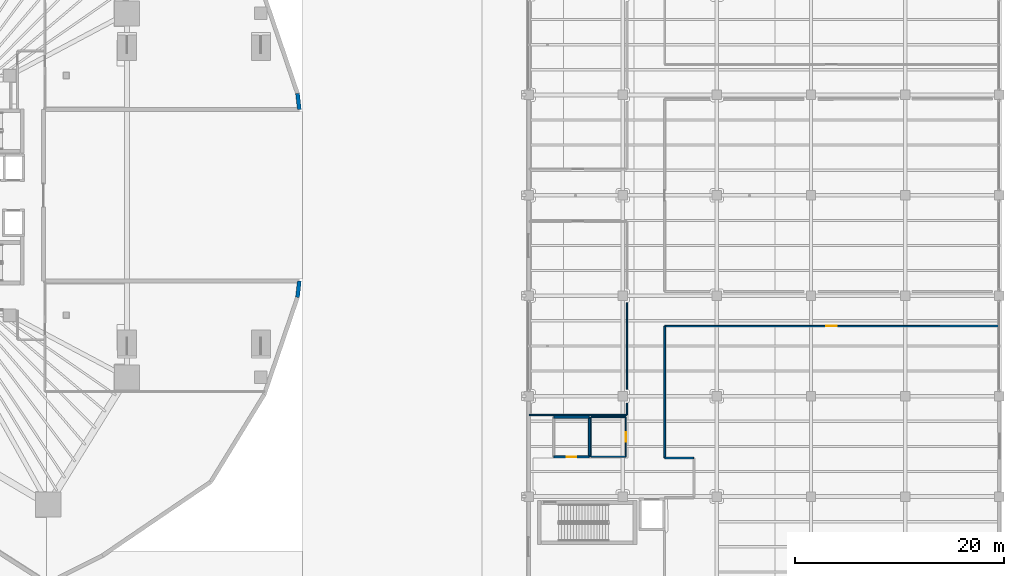
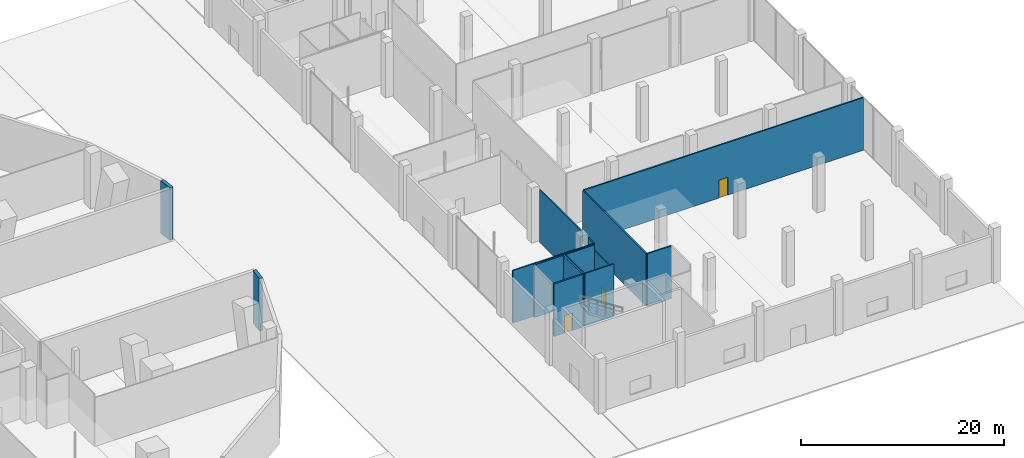
# One storey, part 30 of 45: 15 walls, 3 doors, 3 openings.
"""IFC4 building model written with IfcOpenShell, lengths in metres."""

import ifcopenshell
import ifcopenshell.guid

model = None  # the IFC model being written
_history = None  # IfcOwnerHistory: only IFC2X3 demands one
_inside = {}  # id of a spatial element -> (the spatial element, [elements in it])
_under = {}  # id of a project, library or spatial element -> (it, [spatial elements below it])
_declared = {}  # id of a project -> (the project, [libraries it declares])
_typed = {}  # id of a type object -> (the type object, [elements of that type])
_made_of = {}  # id of a material, layer set ... -> (it, [elements and type objects made of it])


def new_model(schema):
    """Start an empty IFC model of exactly this schema.

    Asked for "IFC4X3", IfcOpenShell would pick the latest addendum, in which some entities
    have other attributes; the version numbers below select the first issue.
    IFC2X3 requires an IfcOwnerHistory on every rooted entity: one is made here for all.
    """
    global model, _history
    if schema == "IFC4X3":
        model = ifcopenshell.file(schema_version=(4, 3, 0, 0))
    else:
        model = ifcopenshell.file(schema=schema)
    _inside.clear()
    _under.clear()
    _declared.clear()
    _typed.clear()
    _made_of.clear()
    _history = None
    if model.schema == "IFC2X3":
        org = make("IfcOrganization", Name="unknown")
        user = make(
            "IfcPersonAndOrganization",
            ThePerson=make("IfcPerson", FamilyName="unknown"),
            TheOrganization=org,
        )
        app = make(
            "IfcApplication",
            ApplicationDeveloper=org,
            Version="unknown",
            ApplicationFullName="unknown",
            ApplicationIdentifier="unknown",
        )
        _history = make(
            "IfcOwnerHistory",
            OwningUser=user,
            OwningApplication=app,
            ChangeAction="ADDED",
            CreationDate=0,
        )
    return model


def make(cls, **values):
    """One entity of the class cls with the attributes given. An attribute that is None is left unset."""
    return model.create_entity(
        cls, **{name: value for name, value in values.items() if value is not None}
    )


def rooted(cls, **values):
    """An entity with a GlobalId (a new one), such as an element, a storey or a relation."""
    return make(cls, GlobalId=ifcopenshell.guid.new(), OwnerHistory=_history, **values)


def si_unit(unit_type, name, prefix=None):
    """IfcSIUnit, for example si_unit("LENGTHUNIT", "METRE", prefix="MILLI")."""
    return make("IfcSIUnit", UnitType=unit_type, Prefix=prefix, Name=name)


def assignment(units):
    """IfcUnitAssignment: the units of a project."""
    return None if units is None else make("IfcUnitAssignment", Units=units)


def point(xyz):
    """IfcCartesianPoint."""
    return None if xyz is None else make("IfcCartesianPoint", Coordinates=xyz)


def direction(xyz):
    """IfcDirection."""
    return None if xyz is None else make("IfcDirection", DirectionRatios=xyz)


def frame(location, z_axis=None, x_axis=None):
    """IfcAxis2Placement3D, a coordinate frame: its origin and axes. An axis left out is left unset."""
    return make(
        "IfcAxis2Placement3D",
        Location=point(location),
        Axis=direction(z_axis),
        RefDirection=direction(x_axis),
    )


def frame_2d(location, x_axis=None):
    """IfcAxis2Placement2D, a coordinate frame in the plane: its origin and x axis."""
    return make(
        "IfcAxis2Placement2D", Location=point(location), RefDirection=direction(x_axis)
    )


def origin():
    """The frame at (0, 0, 0) with its axes left unset."""
    return frame((0.0, 0.0, 0.0))


def place(relative_to, where):
    """IfcLocalPlacement: puts the frame where relative to a parent placement (None: the world)."""
    return make(
        "IfcLocalPlacement", PlacementRelTo=relative_to, RelativePlacement=where
    )


def context(
    kind, dimensions, precision=None, world=None, true_north=None, identifier=None
):
    """IfcGeometricRepresentationContext, for example the 3D "Model" context."""
    return make(
        "IfcGeometricRepresentationContext",
        ContextIdentifier=identifier,
        ContextType=kind,
        CoordinateSpaceDimension=dimensions,
        Precision=precision,
        WorldCoordinateSystem=world,
        TrueNorth=true_north,
    )


def subcontext(parent, identifier, kind, view, scale=None):
    """IfcGeometricRepresentationSubContext, for example "Body" below "Model"."""
    return make(
        "IfcGeometricRepresentationSubContext",
        ContextIdentifier=identifier,
        ContextType=kind,
        ParentContext=parent,
        TargetScale=scale,
        TargetView=view,
    )


def project(units=None, contexts=None):
    """IfcProject with its units and contexts."""
    return rooted(
        "IfcProject",
        Name="project",
        RepresentationContexts=contexts,
        UnitsInContext=assignment(units),
    )


def spatial(cls, under=None, at=None, **own):
    """A site, building, storey or space (cls), placed at a placement, below another one or the project."""
    s = rooted(cls, ObjectPlacement=at, **own)
    if under is not None:
        _under.setdefault(under.id(), (under, []))[1].append(s)
    return s


def profile(cls, at=None, kind="AREA", **sizes):
    """A parametric profile (cls). Its sizes go by their IFC names, for example OverallWidth=200.0."""
    return make(cls, ProfileType=kind, Position=at, **sizes)


def rectangle(**sizes):
    """IfcRectangleProfileDef."""
    return profile("IfcRectangleProfileDef", **sizes)


def extrude(swept, where, along, depth):
    """IfcExtrudedAreaSolid: the profile swept, set in the frame where, extruded along a direction by depth."""
    return make(
        "IfcExtrudedAreaSolid",
        SweptArea=swept,
        Position=where,
        ExtrudedDirection=direction(along),
        Depth=depth,
    )


def shape(context_of_items, identifier, shape_type, items):
    """IfcShapeRepresentation: the items that make up one representation, for example the "Body"."""
    return make(
        "IfcShapeRepresentation",
        ContextOfItems=context_of_items,
        RepresentationIdentifier=identifier,
        RepresentationType=shape_type,
        Items=items,
    )


def material(Name=None, Category=None):
    """IfcMaterial."""
    return make("IfcMaterial", Name=Name, Category=Category)


def layer(
    of_material, thickness, ventilated=None, Name=None, Category=None, Priority=None
):
    """IfcMaterialLayer: one layer of a wall or slab, of a material (None: an air gap)."""
    return make(
        "IfcMaterialLayer",
        Material=of_material,
        LayerThickness=thickness,
        IsVentilated=ventilated,
        Name=Name,
        Category=Category,
        Priority=Priority,
    )


def layer_set(layers, Name=None):
    """IfcMaterialLayerSet."""
    return make("IfcMaterialLayerSet", MaterialLayers=layers, LayerSetName=Name)


def made_of(thing, what):
    """Note that an element or type object is made of a material, layer set ...; save() writes the relation."""
    if what is not None:
        _made_of.setdefault(what.id(), (what, []))[1].append(thing)
    return thing


def type_object(cls, material=None, **own):
    """A type object (cls), such as IfcWallType, which elements share."""
    return made_of(rooted(cls, **own), material)


def element(
    cls,
    number,
    at=None,
    inside=None,
    cuts=None,
    type_object=None,
    material=None,
    context=None,
    identifier="Body",
    shape_type=None,
    held_by="IfcProductDefinitionShape",
    body=None,
    shapes=None,
    **own,
):
    """One element of the class cls, such as IfcWall. Its Tag is "e" and its number.

    at: its placement. inside: the storey or other place that contains it. cuts: it is an
    opening in that element (IfcRelVoidsElement). A single representation is given by context,
    identifier, shape_type and body (its items); several are given by shapes. held_by: the class
    of the entity that holds the representations. save() writes the other relations.
    """
    e = rooted(cls, Tag="e%d" % number, ObjectPlacement=at, **own)
    if body is not None:
        shapes = [shape(context, identifier, shape_type, body)]
    if shapes is not None:
        e.Representation = make(held_by, Representations=shapes)
    if inside is not None:
        _inside.setdefault(inside.id(), (inside, []))[1].append(e)
    if cuts is not None:
        rooted(
            "IfcRelVoidsElement", RelatingBuildingElement=cuts, RelatedOpeningElement=e
        )
    if type_object is not None:
        _typed.setdefault(type_object.id(), (type_object, []))[1].append(e)
    return made_of(e, material)


def fill(opening, filler):
    """IfcRelFillsElement: the door or window that sits in an opening."""
    return rooted(
        "IfcRelFillsElement",
        RelatingOpeningElement=opening,
        RelatedBuildingElement=filler,
    )


def aggregate(whole, parts):
    """IfcRelAggregates: a whole, such as a stair, and the parts it consists of."""
    return rooted("IfcRelAggregates", RelatingObject=whole, RelatedObjects=parts)


def save(model, path):
    """Write the relations noted so far, then the file.

    IfcRelAggregates (storeys below a building ...), IfcRelContainedInSpatialStructure (elements
    in a storey), IfcRelDefinesByType, IfcRelAssociatesMaterial and IfcRelDeclares: one each for
    every whole, place, type object, material and project.
    """
    for whole, parts in _under.values():
        aggregate(whole, parts)
    for where, things in _inside.values():
        rooted(
            "IfcRelContainedInSpatialStructure",
            RelatedElements=things,
            RelatingStructure=where,
        )
    for kind, things in _typed.values():
        rooted("IfcRelDefinesByType", RelatedObjects=things, RelatingType=kind)
    for what, things in _made_of.values():
        rooted("IfcRelAssociatesMaterial", RelatedObjects=things, RelatingMaterial=what)
    for by, libraries in _declared.values():
        rooted("IfcRelDeclares", RelatingContext=by, RelatedDefinitions=libraries)
    model.write(path)


model = new_model("IFC4")

# Units and contexts
model_context = context("Model", 3, precision=1e-05, world=origin(), true_north=direction((0.0, 1.0)))
body_context = subcontext(model_context, "Body", "Model", "MODEL_VIEW")
ifc_project = project(units=[si_unit("LENGTHUNIT", "METRE"), si_unit("AREAUNIT", "SQUARE_METRE"), si_unit("VOLUMEUNIT", "CUBIC_METRE"), si_unit("PLANEANGLEUNIT", "RADIAN"), si_unit("MASSUNIT", "GRAM", prefix="KILO")], contexts=[model_context])

# Site, building, storey
site_placement = place(None, origin())
site = spatial("IfcSite", under=ifc_project, at=site_placement, CompositionType="ELEMENT")
building_placement = place(site_placement, origin())
building = spatial("IfcBuilding", under=site, at=building_placement, Name="Qorvath Tower", CompositionType="ELEMENT")
storey_placement = place(building_placement, origin())
storey = spatial("IfcBuildingStorey", under=building, at=storey_placement, Name="L00", CompositionType="ELEMENT", Elevation=0.0)

# Wall, opening, door
ifc_material_1 = material(Name="Gypsum shaftliner on steel studs", Category="steel")
ifc_layer_1 = layer(ifc_material_1, 0.179931640625)
ifc_layer_set_1 = layer_set([ifc_layer_1], Name="FW-LOBBY")
wall_type_1 = type_object("IfcWallType", Name="FW-LOBBY", PredefinedType="PARTITIONING", material=ifc_layer_set_1)
wall_1_placement = place(storey_placement, frame((34.824951171875, -25.0, 0.0), z_axis=(0.0, 0.0, 1.0), x_axis=(1.0, 0.0, 0.0)))
wall_1 = element("IfcWall", 1, at=wall_1_placement, inside=storey, type_object=wall_type_1, Name="Interior Partition IW-LB-L00-013", PredefinedType="PARTITIONING", context=body_context, shape_type="SweptSolid", body=[
    extrude(rectangle(XDim=3.35009765625, YDim=0.179931640625, at=frame_2d((1.675048828125, 0.0))), origin(), (0.0, 0.0, 1.0), 6.340087890625),
])
opening_1_placement = place(wall_1_placement, frame((1.235107421875, 0.0, 0.0)))
opening_1 = element("IfcOpeningElement", 2, at=opening_1_placement, cuts=wall_1, Name="Opening D-LB-L00-04", PredefinedType="OPENING", context=body_context, shape_type="SweptSolid", body=[
    extrude(rectangle(XDim=0.8798828125, YDim=2.10009765625, at=frame_2d((0.43994140625, 1.050048828125))), frame((0.0, 0.10009765625, 0.0), z_axis=(0.0, -1.0, 0.0), x_axis=(1.0, 0.0, 0.0)), (0.0, 0.0, 1.0), 0.199951171875),
])
ifc_material_2 = material(Name="Painted galvanised hollow metal", Category="steel")
door_type_1 = type_object("IfcDoorType", Name="FD-60N", OperationType="NOTDEFINED", PredefinedType="DOOR", material=ifc_material_2)
door_1_placement = place(opening_1_placement, origin())
door_1 = element("IfcDoor", 3, at=door_1_placement, inside=storey, type_object=door_type_1, Name="Cleaner Custodial Closet L00 Door D-LB-L00-04", OperationType="SINGLE_SWING_RIGHT", OverallHeight=2.10009765625, OverallWidth=0.8798828125, PredefinedType="DOOR", context=body_context, shape_type="SweptSolid", body=[
    extrude(rectangle(XDim=0.8798828125, YDim=2.10009765625, at=frame_2d((0.43994140625, 1.050048828125))), frame((0.0, 0.02490234375, 0.0), z_axis=(0.0, -1.0, 0.0), x_axis=(1.0, 0.0, 0.0)), (0.0, 0.0, 1.0), 0.050048828125),
])
fill(opening_1, door_1)

# Walls
wall_2_placement = place(storey_placement, frame((38.199951171875, -24.97509765625, 0.0), z_axis=(0.0, 0.0, 1.0), x_axis=(0.0, 1.0, 0.0)))
element("IfcWall", 4, at=wall_2_placement, inside=storey, type_object=wall_type_1, Name="Interior Partition IW-LB-L00-014", PredefinedType="PARTITIONING", context=body_context, shape_type="SweptSolid", body=[
    extrude(rectangle(XDim=3.75, YDim=0.179931640625, at=frame_2d((1.875, 0.0))), origin(), (0.0, 0.0, 1.0), 6.340087890625),
])
wall_3_placement = place(storey_placement, frame((38.175048828125, -21.199951171875, 0.0), z_axis=(0.0, 0.0, 1.0), x_axis=(-1.0, 0.0, 0.0)))
element("IfcWall", 5, at=wall_3_placement, inside=storey, type_object=wall_type_1, Name="Interior Partition IW-LB-L00-015", PredefinedType="PARTITIONING", context=body_context, shape_type="SweptSolid", body=[
    extrude(rectangle(XDim=3.35009765625, YDim=0.179931640625, at=frame_2d((1.675048828125, 0.0))), origin(), (0.0, 0.0, 1.0), 6.340087890625),
])

# Wall, opening, door
ifc_material_3 = material(Name="Double acoustic gypsum board on steel studs", Category="steel")
ifc_layer_2 = layer(ifc_material_3, 0.159912109375)
ifc_layer_set_2 = layer_set([ifc_layer_2], Name="IW-ACOUSTIC-160")
wall_type_2 = type_object("IfcWallType", Name="IW-ACOUSTIC-160", PredefinedType="PARTITIONING", material=ifc_layer_set_2)
wall_4_placement = place(storey_placement, frame((77.320068359375, -12.5, 0.0), z_axis=(0.0, 0.0, 1.0), x_axis=(-0.999999968081, -0.000252662519, 0.0)))
wall_4 = element("IfcWall", 6, at=wall_4_placement, inside=storey, type_object=wall_type_2, Name="Interior Partition IW-LB-L00-028", PredefinedType="PARTITIONING", context=body_context, shape_type="SweptSolid", body=[
    extrude(rectangle(XDim=31.886962890625, YDim=0.159912109375, at=frame_2d((15.943359375, 0.0))), origin(), (0.0, 0.0, 1.0), 6.340087890625),
])
opening_2_placement = place(wall_4_placement, frame((15.443603515625, 0.0, 0.0)))
opening_2 = element("IfcOpeningElement", 7, at=opening_2_placement, cuts=wall_4, Name="Opening D-LB-L00-07", PredefinedType="OPENING", context=body_context, shape_type="SweptSolid", body=[
    extrude(rectangle(XDim=1.0, YDim=2.14990234375, at=frame_2d((0.5, 1.074951171875))), frame((0.0, 0.08984375, 0.0), z_axis=(0.0, -1.0, 0.0), x_axis=(1.0, 0.0, 0.0)), (0.0, 0.0, 1.0), 0.179931640625),
])
ifc_material_4 = material(Name="Painted galvanised hollow metal", Category="steel")
door_type_2 = type_object("IfcDoorType", Name="FD-60", OperationType="NOTDEFINED", PredefinedType="DOOR", material=ifc_material_4)
door_2_placement = place(opening_2_placement, origin())
door_2 = element("IfcDoor", 8, at=door_2_placement, inside=storey, type_object=door_type_2, Name="L-L00-AUD Civic Lecture Auditorium Door D-LB-L00-07", OperationType="SINGLE_SWING_LEFT", OverallHeight=2.14990234375, OverallWidth=1.0, PredefinedType="DOOR", context=body_context, shape_type="SweptSolid", body=[
    extrude(rectangle(XDim=1.0, YDim=2.14990234375, at=frame_2d((0.5, 1.074951171875))), frame((0.0, 0.02490234375, 0.0), z_axis=(0.0, -1.0, 0.0), x_axis=(1.0, 0.0, 0.0)), (0.0, 0.0, 1.0), 0.050048828125),
])
fill(opening_2, door_2)

# Walls
wall_5_placement = place(storey_placement, frame((45.407958984375, -12.533203125, 0.0), z_axis=(0.0, 0.0, 1.0), x_axis=(0.0, -1.0, 0.0)))
element("IfcWall", 9, at=wall_5_placement, inside=storey, type_object=wall_type_2, Name="Interior Partition IW-LB-L00-029", PredefinedType="PARTITIONING", context=body_context, shape_type="SweptSolid", body=[
    extrude(rectangle(XDim=12.553955078125, YDim=0.159912109375, at=frame_2d((6.27685546875, 0.0))), origin(), (0.0, 0.0, 1.0), 6.340087890625),
])
wall_6_placement = place(storey_placement, frame((48.18310546875, -25.112060546875, 0.0), z_axis=(0.0, 0.0, 1.0), x_axis=(-1.0, 0.0, 0.0)))
element("IfcWall", 10, at=wall_6_placement, inside=storey, type_object=wall_type_2, Name="Interior Partition IW-LB-L00-030", PredefinedType="PARTITIONING", context=body_context, shape_type="SweptSolid", body=[
    extrude(rectangle(XDim=2.75, YDim=0.159912109375, at=frame_2d((1.375, 0.0))), origin(), (0.0, 0.0, 1.0), 6.340087890625),
])
ifc_material_5 = material(Name="Gypsum board on metal studs with mineral wool", Category="gypsum")
ifc_layer_3 = layer(ifc_material_5, 0.125)
ifc_layer_set_3 = layer_set([ifc_layer_3], Name="IW-PART-125")
wall_type_3 = type_object("IfcWallType", Name="IW-PART-125", PredefinedType="PARTITIONING", material=ifc_layer_set_3)
wall_7_placement = place(storey_placement, frame((32.47998046875, -21.0, 0.0), z_axis=(0.0, 0.0, 1.0), x_axis=(1.0, 0.0, 0.0)))
element("IfcWall", 11, at=wall_7_placement, inside=storey, type_object=wall_type_3, Name="Interior Partition IW-LB-L00-043", PredefinedType="PARTITIONING", context=body_context, shape_type="SweptSolid", body=[
    extrude(rectangle(XDim=9.294921875, YDim=0.125, at=frame_2d((4.6474609375, 0.0))), origin(), (0.0, 0.0, 1.0), 6.340087890625),
])
wall_8_placement = place(storey_placement, frame((41.800048828125, -20.97509765625, 0.0), z_axis=(0.0, 0.0, 1.0), x_axis=(0.0, 1.0, 0.0)))
element("IfcWall", 12, at=wall_8_placement, inside=storey, type_object=wall_type_3, Name="Interior Partition IW-LB-L00-044", PredefinedType="PARTITIONING", context=body_context, shape_type="SweptSolid", body=[
    extrude(rectangle(XDim=1.10009765625, YDim=0.125, at=frame_2d((0.550048828125, 0.0))), origin(), (0.0, 0.0, 1.0), 6.340087890625),
])
wall_9_placement = place(storey_placement, frame((41.800048828125, -18.52490234375, 0.0), z_axis=(0.0, 0.0, 1.0), x_axis=(0.0, 1.0, 0.0)))
element("IfcWall", 13, at=wall_9_placement, inside=storey, type_object=wall_type_3, Name="Interior Partition IW-LB-L00-045", PredefinedType="PARTITIONING", context=body_context, shape_type="SweptSolid", body=[
    extrude(rectangle(XDim=8.25, YDim=0.125, at=frame_2d((4.125, 0.0))), origin(), (0.0, 0.0, 1.0), 6.340087890625),
])
ifc_material_6 = material(Name="Moisture-resistant cement board on metal studs", Category="gypsum")
ifc_layer_4 = layer(ifc_material_6, 0.110107421875)
ifc_layer_set_4 = layer_set([ifc_layer_4], Name="IW-WC-110")
wall_type_4 = type_object("IfcWallType", Name="IW-WC-110", PredefinedType="PARTITIONING", material=ifc_layer_set_4)
wall_10_placement = place(storey_placement, frame((38.375, -25.0, 0.0), z_axis=(0.0, 0.0, 1.0), x_axis=(1.0, 0.0, 0.0)))
element("IfcWall", 14, at=wall_10_placement, inside=storey, type_object=wall_type_4, Name="Interior Partition IW-LB-L00-009", PredefinedType="PARTITIONING", context=body_context, shape_type="SweptSolid", body=[
    extrude(rectangle(XDim=3.300048828125, YDim=0.110107421875, at=frame_2d((1.64990234375, 0.0))), origin(), (0.0, 0.0, 1.0), 6.340087890625),
])

# Wall, opening, door
wall_11_placement = place(storey_placement, frame((41.699951171875, -24.97509765625, 0.0), z_axis=(0.0, 0.0, 1.0), x_axis=(0.0, 1.0, 0.0)))
wall_11 = element("IfcWall", 15, at=wall_11_placement, inside=storey, type_object=wall_type_4, Name="Interior Partition IW-LB-L00-010", PredefinedType="PARTITIONING", context=body_context, shape_type="SweptSolid", body=[
    extrude(rectangle(XDim=3.75, YDim=0.110107421875, at=frame_2d((1.875, 0.0))), origin(), (0.0, 0.0, 1.0), 5.694091796875),
])
opening_3_placement = place(wall_11_placement, frame((1.43505859375, 0.0, 0.0)))
opening_3 = element("IfcOpeningElement", 16, at=opening_3_placement, cuts=wall_11, Name="Opening D-LB-L00-03", PredefinedType="OPENING", context=body_context, shape_type="SweptSolid", body=[
    extrude(rectangle(XDim=0.8798828125, YDim=2.10009765625, at=frame_2d((0.43994140625, 1.050048828125))), frame((0.0, 0.06494140625, 0.0), z_axis=(0.0, -1.0, 0.0), x_axis=(1.0, 0.0, 0.0)), (0.0, 0.0, 1.0), 0.130126953125),
])
door_3_placement = place(opening_3_placement, origin())
door_3 = element("IfcDoor", 17, at=door_3_placement, inside=storey, type_object=door_type_1, Name="Accessible WC East Wing L00 Door D-LB-L00-03", OperationType="SINGLE_SWING_LEFT", OverallHeight=2.10009765625, OverallWidth=0.8798828125, PredefinedType="DOOR", context=body_context, shape_type="SweptSolid", body=[
    extrude(rectangle(XDim=0.8798828125, YDim=2.10009765625, at=frame_2d((0.43994140625, 1.050048828125))), frame((0.0, 0.02490234375, 0.0), z_axis=(0.0, -1.0, 0.0), x_axis=(1.0, 0.0, 0.0)), (0.0, 0.0, 1.0), 0.050048828125),
])
fill(opening_3, door_3)

# Walls
wall_12_placement = place(storey_placement, frame((41.675048828125, -21.199951171875, 0.0), z_axis=(0.0, 0.0, 1.0), x_axis=(-1.0, 0.0, 0.0)))
element("IfcWall", 18, at=wall_12_placement, inside=storey, type_object=wall_type_4, Name="Interior Partition IW-LB-L00-011", PredefinedType="PARTITIONING", context=body_context, shape_type="SweptSolid", body=[
    extrude(rectangle(XDim=3.300048828125, YDim=0.110107421875, at=frame_2d((1.64990234375, 0.0))), origin(), (0.0, 0.0, 1.0), 6.340087890625),
])
wall_13_placement = place(storey_placement, frame((38.35009765625, -21.22509765625, 0.0), z_axis=(0.0, 0.0, 1.0), x_axis=(0.0, -1.0, 0.0)))
element("IfcWall", 19, at=wall_13_placement, inside=storey, type_object=wall_type_4, Name="Interior Partition IW-LB-L00-012", PredefinedType="PARTITIONING", context=body_context, shape_type="SweptSolid", body=[
    extrude(rectangle(XDim=3.75, YDim=0.110107421875, at=frame_2d((1.875, 0.0))), origin(), (0.0, 0.0, 1.0), 6.340087890625),
])
ifc_material_7 = material(Name="Precast concrete C50/60", Category="concrete")
ifc_layer_5 = layer(ifc_material_7, 0.3798828125)
ifc_layer_set_5 = layer_set([ifc_layer_5], Name="WL-EW-POD-380")
wall_type_5 = type_object("IfcWallType", Name="WL-EW-POD-380", PredefinedType="SOLIDWALL", material=ifc_layer_set_5)
for number, where, z_axis, x_axis, name in (
    (20, (10.3125, 9.748779296875, 0.0), (0.0, 0.0, 1.0), (0.109520054504, -0.993984586229, 0.0), "Tower Podium Precast Facade Wall L00-4.1"),
    (21, (10.483154296875, -8.199951171875, 0.0), (0.0, 0.0, 1.0), (-0.109520054504, -0.993984586229, 0.0), "Tower Podium Precast Facade Wall L00-16.1"),
):
    element("IfcWall", number, at=place(storey_placement, frame(where, z_axis=z_axis, x_axis=x_axis)), inside=storey, type_object=wall_type_5, Name=name, PredefinedType="SOLIDWALL", context=body_context, shape_type="SweptSolid", body=[
        extrude(rectangle(XDim=1.55810546875, YDim=0.3798828125, at=frame_2d((0.779052734375, 0.0))), origin(), (0.0, 0.0, 1.0), 6.340087890625),
    ])

save(model, "model.ifc")
